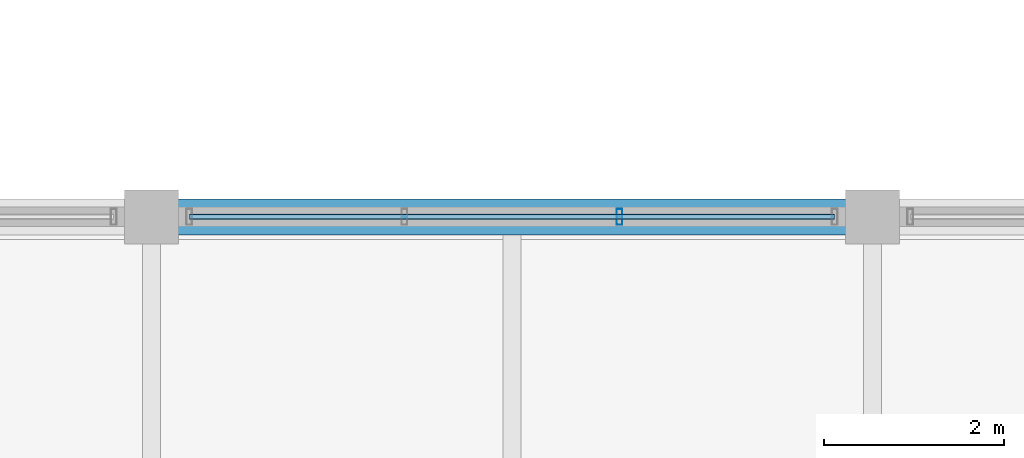
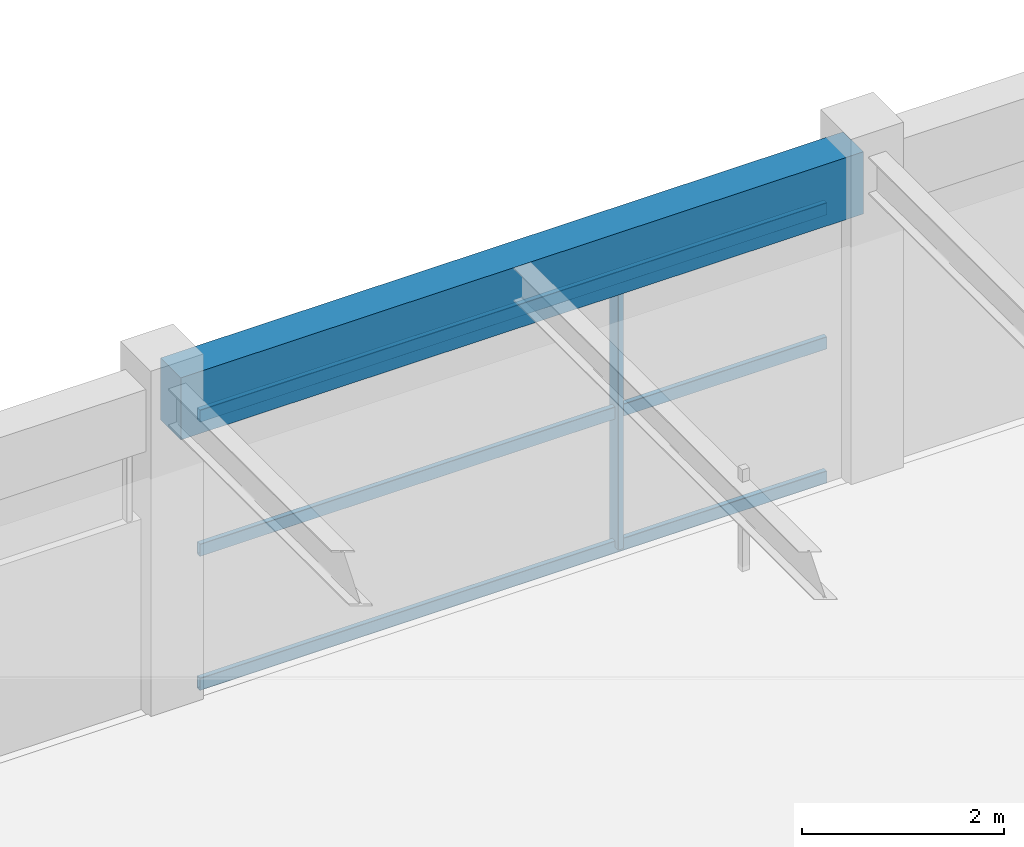
# One storey, part 21 of 126: 4 members, 1 beam, 1 element without a shape of its own.
"""IFC4 building model written with IfcOpenShell, lengths in metres."""

import ifcopenshell
import ifcopenshell.guid

model = None  # the IFC model being written
_history = None  # IfcOwnerHistory: only IFC2X3 demands one
_inside = {}  # id of a spatial element -> (the spatial element, [elements in it])
_under = {}  # id of a project, library or spatial element -> (it, [spatial elements below it])
_declared = {}  # id of a project -> (the project, [libraries it declares])
_typed = {}  # id of a type object -> (the type object, [elements of that type])
_made_of = {}  # id of a material, layer set ... -> (it, [elements and type objects made of it])


def new_model(schema):
    """Start an empty IFC model of exactly this schema.

    Asked for "IFC4X3", IfcOpenShell would pick the latest addendum, in which some entities
    have other attributes; the version numbers below select the first issue.
    IFC2X3 requires an IfcOwnerHistory on every rooted entity: one is made here for all.
    """
    global model, _history
    if schema == "IFC4X3":
        model = ifcopenshell.file(schema_version=(4, 3, 0, 0))
    else:
        model = ifcopenshell.file(schema=schema)
    _inside.clear()
    _under.clear()
    _declared.clear()
    _typed.clear()
    _made_of.clear()
    _history = None
    if model.schema == "IFC2X3":
        org = make("IfcOrganization", Name="unknown")
        user = make(
            "IfcPersonAndOrganization",
            ThePerson=make("IfcPerson", FamilyName="unknown"),
            TheOrganization=org,
        )
        app = make(
            "IfcApplication",
            ApplicationDeveloper=org,
            Version="unknown",
            ApplicationFullName="unknown",
            ApplicationIdentifier="unknown",
        )
        _history = make(
            "IfcOwnerHistory",
            OwningUser=user,
            OwningApplication=app,
            ChangeAction="ADDED",
            CreationDate=0,
        )
    return model


def make(cls, **values):
    """One entity of the class cls with the attributes given. An attribute that is None is left unset."""
    return model.create_entity(
        cls, **{name: value for name, value in values.items() if value is not None}
    )


def rooted(cls, **values):
    """An entity with a GlobalId (a new one), such as an element, a storey or a relation."""
    return make(cls, GlobalId=ifcopenshell.guid.new(), OwnerHistory=_history, **values)


def si_unit(unit_type, name, prefix=None):
    """IfcSIUnit, for example si_unit("LENGTHUNIT", "METRE", prefix="MILLI")."""
    return make("IfcSIUnit", UnitType=unit_type, Prefix=prefix, Name=name)


def assignment(units):
    """IfcUnitAssignment: the units of a project."""
    return None if units is None else make("IfcUnitAssignment", Units=units)


def point(xyz):
    """IfcCartesianPoint."""
    return None if xyz is None else make("IfcCartesianPoint", Coordinates=xyz)


def direction(xyz):
    """IfcDirection."""
    return None if xyz is None else make("IfcDirection", DirectionRatios=xyz)


def frame(location, z_axis=None, x_axis=None):
    """IfcAxis2Placement3D, a coordinate frame: its origin and axes. An axis left out is left unset."""
    return make(
        "IfcAxis2Placement3D",
        Location=point(location),
        Axis=direction(z_axis),
        RefDirection=direction(x_axis),
    )


def frame_2d(location, x_axis=None):
    """IfcAxis2Placement2D, a coordinate frame in the plane: its origin and x axis."""
    return make(
        "IfcAxis2Placement2D", Location=point(location), RefDirection=direction(x_axis)
    )


def origin():
    """The frame at (0, 0, 0) with its axes left unset."""
    return frame((0.0, 0.0, 0.0))


def origin_2d():
    """The frame at (0, 0) in the plane with its x axis left unset."""
    return frame_2d((0.0, 0.0))


def place(relative_to, where):
    """IfcLocalPlacement: puts the frame where relative to a parent placement (None: the world)."""
    return make(
        "IfcLocalPlacement", PlacementRelTo=relative_to, RelativePlacement=where
    )


def context(
    kind, dimensions, precision=None, world=None, true_north=None, identifier=None
):
    """IfcGeometricRepresentationContext, for example the 3D "Model" context."""
    return make(
        "IfcGeometricRepresentationContext",
        ContextIdentifier=identifier,
        ContextType=kind,
        CoordinateSpaceDimension=dimensions,
        Precision=precision,
        WorldCoordinateSystem=world,
        TrueNorth=true_north,
    )


def subcontext(parent, identifier, kind, view, scale=None):
    """IfcGeometricRepresentationSubContext, for example "Body" below "Model"."""
    return make(
        "IfcGeometricRepresentationSubContext",
        ContextIdentifier=identifier,
        ContextType=kind,
        ParentContext=parent,
        TargetScale=scale,
        TargetView=view,
    )


def project(units=None, contexts=None):
    """IfcProject with its units and contexts."""
    return rooted(
        "IfcProject",
        Name="project",
        RepresentationContexts=contexts,
        UnitsInContext=assignment(units),
    )


def spatial(cls, under=None, at=None, **own):
    """A site, building, storey or space (cls), placed at a placement, below another one or the project."""
    s = rooted(cls, ObjectPlacement=at, **own)
    if under is not None:
        _under.setdefault(under.id(), (under, []))[1].append(s)
    return s


def profile(cls, at=None, kind="AREA", **sizes):
    """A parametric profile (cls). Its sizes go by their IFC names, for example OverallWidth=200.0."""
    return make(cls, ProfileType=kind, Position=at, **sizes)


def rectangle(**sizes):
    """IfcRectangleProfileDef."""
    return profile("IfcRectangleProfileDef", **sizes)


def hollow_rectangle(**sizes):
    """IfcRectangleHollowProfileDef."""
    return profile("IfcRectangleHollowProfileDef", **sizes)


def extrude(swept, where, along, depth):
    """IfcExtrudedAreaSolid: the profile swept, set in the frame where, extruded along a direction by depth."""
    return make(
        "IfcExtrudedAreaSolid",
        SweptArea=swept,
        Position=where,
        ExtrudedDirection=direction(along),
        Depth=depth,
    )


def shape(context_of_items, identifier, shape_type, items):
    """IfcShapeRepresentation: the items that make up one representation, for example the "Body"."""
    return make(
        "IfcShapeRepresentation",
        ContextOfItems=context_of_items,
        RepresentationIdentifier=identifier,
        RepresentationType=shape_type,
        Items=items,
    )


def material(Name=None, Category=None):
    """IfcMaterial."""
    return make("IfcMaterial", Name=Name, Category=Category)


def material_profile(
    of_material, cross_section, Name=None, Category=None, Priority=None
):
    """IfcMaterialProfile: a cross section and its material."""
    return make(
        "IfcMaterialProfile",
        Name=Name,
        Material=of_material,
        Profile=cross_section,
        Priority=Priority,
        Category=Category,
    )


def profile_set(profiles, Name=None, composite=None):
    """IfcMaterialProfileSet."""
    return make(
        "IfcMaterialProfileSet",
        Name=Name,
        MaterialProfiles=profiles,
        CompositeProfile=composite,
    )


def made_of(thing, what):
    """Note that an element or type object is made of a material, layer set ...; save() writes the relation."""
    if what is not None:
        _made_of.setdefault(what.id(), (what, []))[1].append(thing)
    return thing


def type_object(cls, material=None, **own):
    """A type object (cls), such as IfcWallType, which elements share."""
    return made_of(rooted(cls, **own), material)


def element(
    cls,
    number,
    at=None,
    inside=None,
    cuts=None,
    type_object=None,
    material=None,
    context=None,
    identifier="Body",
    shape_type=None,
    held_by="IfcProductDefinitionShape",
    body=None,
    shapes=None,
    **own,
):
    """One element of the class cls, such as IfcWall. Its Tag is "e" and its number.

    at: its placement. inside: the storey or other place that contains it. cuts: it is an
    opening in that element (IfcRelVoidsElement). A single representation is given by context,
    identifier, shape_type and body (its items); several are given by shapes. held_by: the class
    of the entity that holds the representations. save() writes the other relations.
    """
    e = rooted(cls, Tag="e%d" % number, ObjectPlacement=at, **own)
    if body is not None:
        shapes = [shape(context, identifier, shape_type, body)]
    if shapes is not None:
        e.Representation = make(held_by, Representations=shapes)
    if inside is not None:
        _inside.setdefault(inside.id(), (inside, []))[1].append(e)
    if cuts is not None:
        rooted(
            "IfcRelVoidsElement", RelatingBuildingElement=cuts, RelatedOpeningElement=e
        )
    if type_object is not None:
        _typed.setdefault(type_object.id(), (type_object, []))[1].append(e)
    return made_of(e, material)


def aggregate(whole, parts):
    """IfcRelAggregates: a whole, such as a stair, and the parts it consists of."""
    return rooted("IfcRelAggregates", RelatingObject=whole, RelatedObjects=parts)


def save(model, path):
    """Write the relations noted so far, then the file.

    IfcRelAggregates (storeys below a building ...), IfcRelContainedInSpatialStructure (elements
    in a storey), IfcRelDefinesByType, IfcRelAssociatesMaterial and IfcRelDeclares: one each for
    every whole, place, type object, material and project.
    """
    for whole, parts in _under.values():
        aggregate(whole, parts)
    for where, things in _inside.values():
        rooted(
            "IfcRelContainedInSpatialStructure",
            RelatedElements=things,
            RelatingStructure=where,
        )
    for kind, things in _typed.values():
        rooted("IfcRelDefinesByType", RelatedObjects=things, RelatingType=kind)
    for what, things in _made_of.values():
        rooted("IfcRelAssociatesMaterial", RelatedObjects=things, RelatingMaterial=what)
    for by, libraries in _declared.values():
        rooted("IfcRelDeclares", RelatingContext=by, RelatedDefinitions=libraries)
    model.write(path)


model = new_model("IFC4")

# Units and contexts
model_context = context("Model", 3, precision=1e-05, world=origin(), true_north=direction((0.0, 1.0)))
body_context = subcontext(model_context, "Body", "Model", "MODEL_VIEW")
ifc_project = project(units=[si_unit("LENGTHUNIT", "METRE"), si_unit("AREAUNIT", "SQUARE_METRE"), si_unit("VOLUMEUNIT", "CUBIC_METRE"), si_unit("PLANEANGLEUNIT", "RADIAN"), si_unit("MASSUNIT", "GRAM", prefix="KILO")], contexts=[model_context])

# Site, building, storey
site_placement = place(None, origin())
site = spatial("IfcSite", under=ifc_project, at=site_placement, CompositionType="ELEMENT")
building_placement = place(site_placement, origin())
building = spatial("IfcBuilding", under=site, at=building_placement, Name="Varnabhumi Central Station", CompositionType="ELEMENT")
storey_placement = place(building_placement, frame((0.0, 0.0, 16.199951171875)))
storey = spatial("IfcBuildingStorey", under=building, at=storey_placement, Name="L03", CompositionType="ELEMENT", Elevation=16.199951171875)

# Beam
ifc_material_1 = material(Name="Concrete M40", Category="concrete")
ifc_material_profile_1 = material_profile(ifc_material_1, rectangle(XDim=0.39990234375, YDim=0.75, at=origin_2d()), Name="Concrete M40", Category="concrete")
ifc_profile_set_1 = profile_set([ifc_material_profile_1], Name="Concrete M40")
beam_type = type_object("IfcBeamType", Name="BM-RC-400x750", PredefinedType="BEAM", material=ifc_profile_set_1)
beam_placement = place(storey_placement, frame((128.10009765625, 9.0, 3.545166015625), z_axis=(1.0, 0.0, 0.0), x_axis=(0.0, 1.0, 0.0)))
element("IfcBeam", 1, at=beam_placement, inside=storey, type_object=beam_type, Name="Beam L03-B:17-18", PredefinedType="BEAM", context=body_context, shape_type="SweptSolid", body=[
    extrude(rectangle(XDim=0.39990234375, YDim=0.75, at=origin_2d()), origin(), (0.0, 0.0, 1.0), 7.7998046875),
])

# Curtain wall, members
ifc_material_2 = material(Name="Anodised aluminium 6063-T6", Category="aluminium")
curtain_wall_type = type_object("IfcCurtainWallType", Name="CW-PATIO-LOGGIA-L3", PredefinedType="NOTDEFINED", material=ifc_material_2)
curtain_wall_placement = place(storey_placement, origin())
curtain_wall = element("IfcCurtainWall", 2, at=curtain_wall_placement, inside=storey, type_object=curtain_wall_type, Name="Curtain Wall CW-SP3S3", PredefinedType="NOTDEFINED")
ifc_material_profile_2 = material_profile(ifc_material_2, hollow_rectangle(XDim=0.06494140625, YDim=0.179931640625, WallThickness=0.00390625, InnerFilletRadius=0.001953125, OuterFilletRadius=0.006103515625, at=origin_2d()), Name="Anodised aluminium 6063-T6", Category="aluminium")
ifc_profile_set_2 = profile_set([ifc_material_profile_2], Name="Anodised aluminium 6063-T6")
member_type_1 = type_object("IfcMemberType", Name="CW-MUL-180", PredefinedType="MULLION", material=ifc_profile_set_2)
member_1_placement = place(storey_placement, frame((133.193359375, 9.0, 0.0), z_axis=(0.0, 0.0, 1.0), x_axis=(1.0, 0.0, 0.0)))
member_1 = element("IfcMember", 3, at=member_1_placement, type_object=member_type_1, Name="Curtain Wall Mullion CW-SP3S3-M3", PredefinedType="MULLION", context=body_context, shape_type="SweptSolid", body=[
    extrude(hollow_rectangle(XDim=0.06494140625, YDim=0.179931640625, WallThickness=0.00390625, InnerFilletRadius=0.001953125, OuterFilletRadius=0.006103515625, at=origin_2d()), origin(), (0.0, 0.0, 1.0), 3.239990234375),
])
ifc_material_profile_3 = material_profile(ifc_material_2, hollow_rectangle(XDim=0.06005859375, YDim=0.14990234375, WallThickness=0.00390625, InnerFilletRadius=0.001953125, OuterFilletRadius=0.006103515625, at=origin_2d()), Name="Anodised aluminium 6063-T6", Category="aluminium")
ifc_profile_set_3 = profile_set([ifc_material_profile_3], Name="Anodised aluminium 6063-T6")
member_type_2 = type_object("IfcMemberType", Name="CW-TR-150", PredefinedType="USERDEFINED", material=ifc_profile_set_3)
member_2_placement = place(storey_placement, frame((128.419921875, 9.0, 0.0), z_axis=(1.0, 0.0, 0.0), x_axis=(0.0, 1.0, 0.0)))
member_2 = element("IfcMember", 4, at=member_2_placement, type_object=member_type_2, Name="Curtain Wall Transom CW-SP3S3-T1", ObjectType="TRANSOM", PredefinedType="USERDEFINED", context=body_context, shape_type="SweptSolid", body=[
    extrude(hollow_rectangle(XDim=0.06005859375, YDim=0.14990234375, WallThickness=0.00390625, InnerFilletRadius=0.001953125, OuterFilletRadius=0.006103515625, at=origin_2d()), origin(), (0.0, 0.0, 1.0), 7.16015625),
])
member_3_placement = place(storey_placement, frame((128.419921875, 9.0, 1.6201171875), z_axis=(1.0, 0.0, 0.0), x_axis=(0.0, 1.0, 0.0)))
member_3 = element("IfcMember", 5, at=member_3_placement, type_object=member_type_2, Name="Curtain Wall Transom CW-SP3S3-T2", ObjectType="TRANSOM", PredefinedType="USERDEFINED", context=body_context, shape_type="SweptSolid", body=[
    extrude(hollow_rectangle(XDim=0.06005859375, YDim=0.14990234375, WallThickness=0.00390625, InnerFilletRadius=0.001953125, OuterFilletRadius=0.006103515625, at=origin_2d()), origin(), (0.0, 0.0, 1.0), 7.16015625),
])
member_4_placement = place(storey_placement, frame((128.419921875, 9.0, 3.239990234375), z_axis=(1.0, 0.0, 0.0), x_axis=(0.0, 1.0, 0.0)))
member_4 = element("IfcMember", 6, at=member_4_placement, type_object=member_type_2, Name="Curtain Wall Transom CW-SP3S3-T3", ObjectType="TRANSOM", PredefinedType="USERDEFINED", context=body_context, shape_type="SweptSolid", body=[
    extrude(hollow_rectangle(XDim=0.06005859375, YDim=0.14990234375, WallThickness=0.00390625, InnerFilletRadius=0.001953125, OuterFilletRadius=0.006103515625, at=origin_2d()), origin(), (0.0, 0.0, 1.0), 7.16015625),
])
aggregate(curtain_wall, [member_1, member_2, member_3, member_4])

save(model, "model.ifc")
